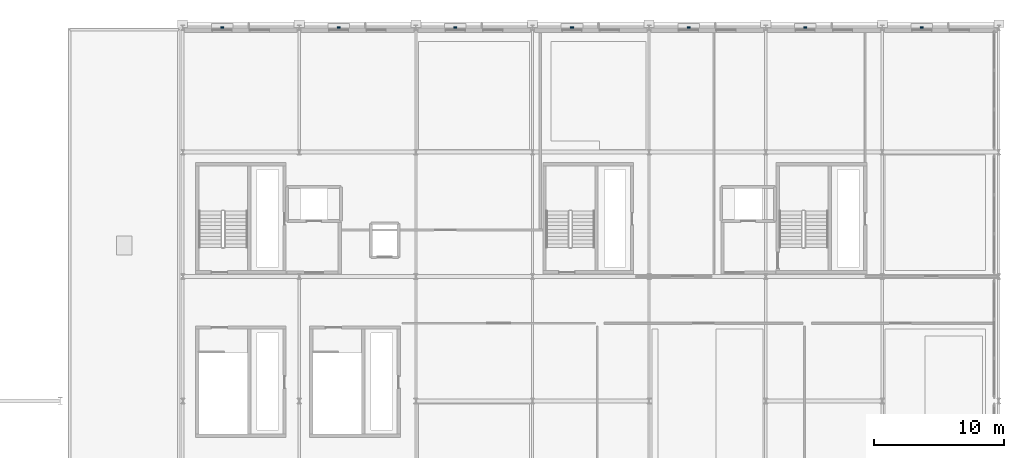
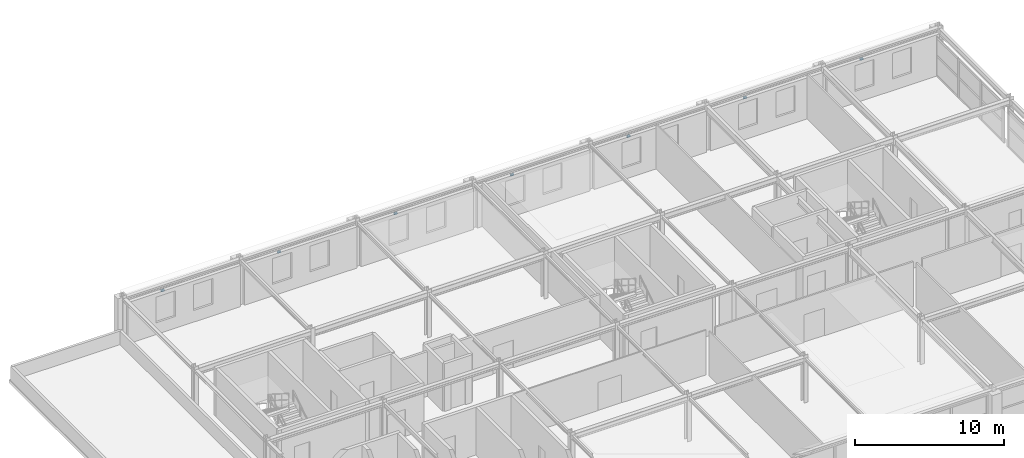
# One storey, part 43 of 52: 7 discrete accessories.
"""IFC4 building model written with IfcOpenShell, lengths in metres."""

from ifc_helpers import new_model, si_unit, direction, frame, origin, origin_2d, place, context, subcontext, project, spatial, rectangle, extrude, material, type_object, element, save


model = new_model("IFC4")

# Units and contexts
model_context = context("Model", 3, precision=1e-05, world=origin(), true_north=direction((0.0, 1.0)))
body_context = subcontext(model_context, "Body", "Model", "MODEL_VIEW")
ifc_project = project(units=[si_unit("LENGTHUNIT", "METRE"), si_unit("AREAUNIT", "SQUARE_METRE"), si_unit("VOLUMEUNIT", "CUBIC_METRE"), si_unit("PLANEANGLEUNIT", "RADIAN"), si_unit("MASSUNIT", "GRAM", prefix="KILO")], contexts=[model_context])

# Site, building, storey
site_placement = place(None, origin())
site = spatial("IfcSite", under=ifc_project, at=site_placement, CompositionType="ELEMENT")
building_placement = place(site_placement, origin())
building = spatial("IfcBuilding", under=site, at=building_placement, Name="Myrtia Square Station", CompositionType="ELEMENT")
storey_placement = place(building_placement, frame((0.0, 0.0, 15.0)))
storey = spatial("IfcBuildingStorey", under=building, at=storey_placement, Name="L03", CompositionType="ELEMENT", Elevation=15.0)

# Discrete accessories
ifc_material = material(Name="Steel S355", Category="steel")
discrete_accessory_type = type_object("IfcDiscreteAccessoryType", Name="ACC-BRACKET-BRONZE", PredefinedType="BRACKET", material=ifc_material)
for number, where, z_axis, x_axis, name in (
    (1, (129.052001953125, 124.830078125, 3.0302734375), (0.0, 0.0, 1.0), (1.0, 0.0, 0.0), "Solar shading fixing bracket 063"),
    (2, (138.052001953125, 124.830078125, 3.0302734375), (0.0, 0.0, 1.0), (1.0, 0.0, 0.0), "Solar shading fixing bracket 064"),
    (3, (147.052001953125, 124.830078125, 3.0302734375), (0.0, 0.0, 1.0), (1.0, 0.0, 0.0), "Solar shading fixing bracket 065"),
    (4, (156.052001953125, 124.830078125, 3.0302734375), (0.0, 0.0, 1.0), (1.0, 0.0, 0.0), "Solar shading fixing bracket 066"),
    (5, (165.052001953125, 124.830078125, 3.0302734375), (0.0, 0.0, 1.0), (1.0, 0.0, 0.0), "Solar shading fixing bracket 067"),
    (6, (174.052001953125, 124.830078125, 3.0302734375), (0.0, 0.0, 1.0), (1.0, 0.0, 0.0), "Solar shading fixing bracket 068"),
    (7, (183.052001953125, 124.830078125, 3.0302734375), (0.0, 0.0, 1.0), (1.0, 0.0, 0.0), "Solar shading fixing bracket 069"),
):
    element("IfcDiscreteAccessory", number, at=place(storey_placement, frame(where, z_axis=z_axis, x_axis=x_axis)), inside=storey, type_object=discrete_accessory_type, Name=name, PredefinedType="BRACKET", context=body_context, shape_type="SweptSolid", body=[
        extrude(rectangle(XDim=0.239990234375, YDim=0.1201171875, at=origin_2d()), origin(), (0.0, 0.0, 1.0), 0.139892578125),
    ])

save(model, "model.ifc")
